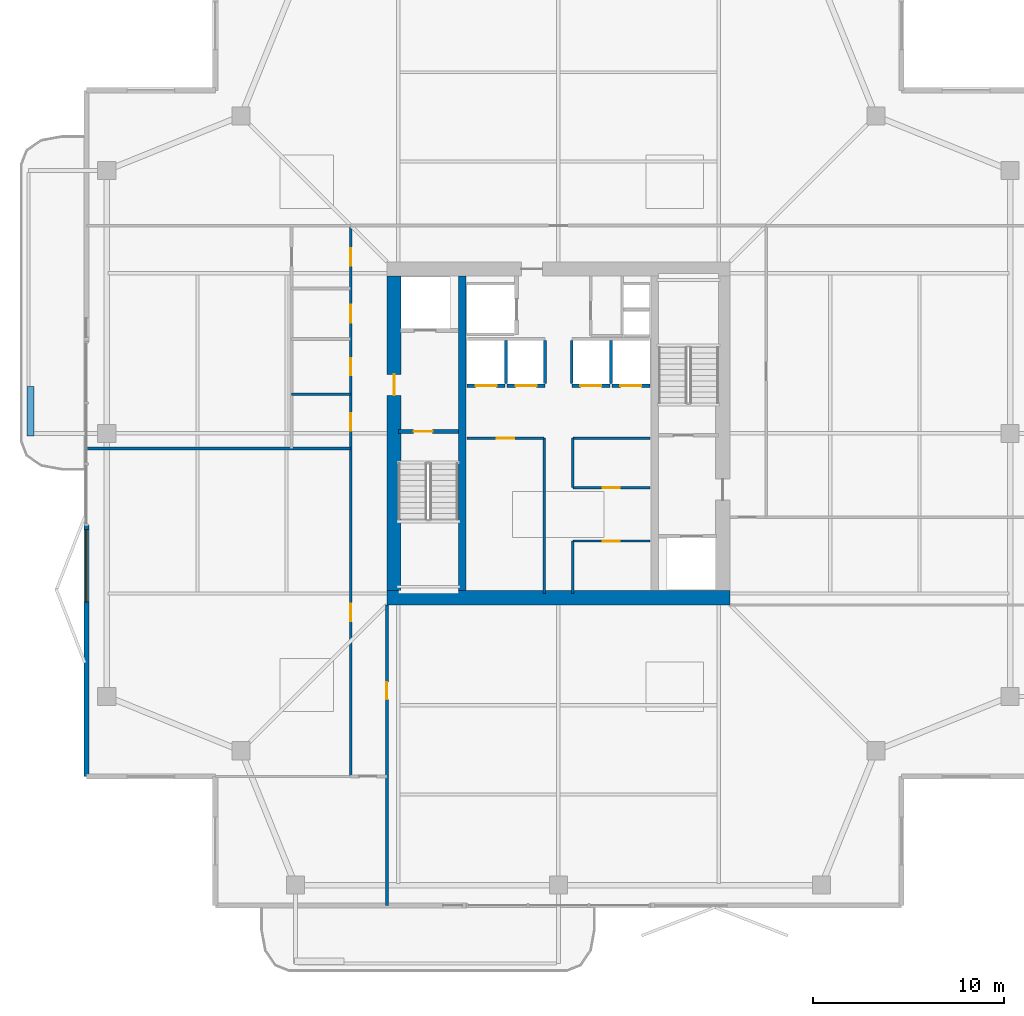
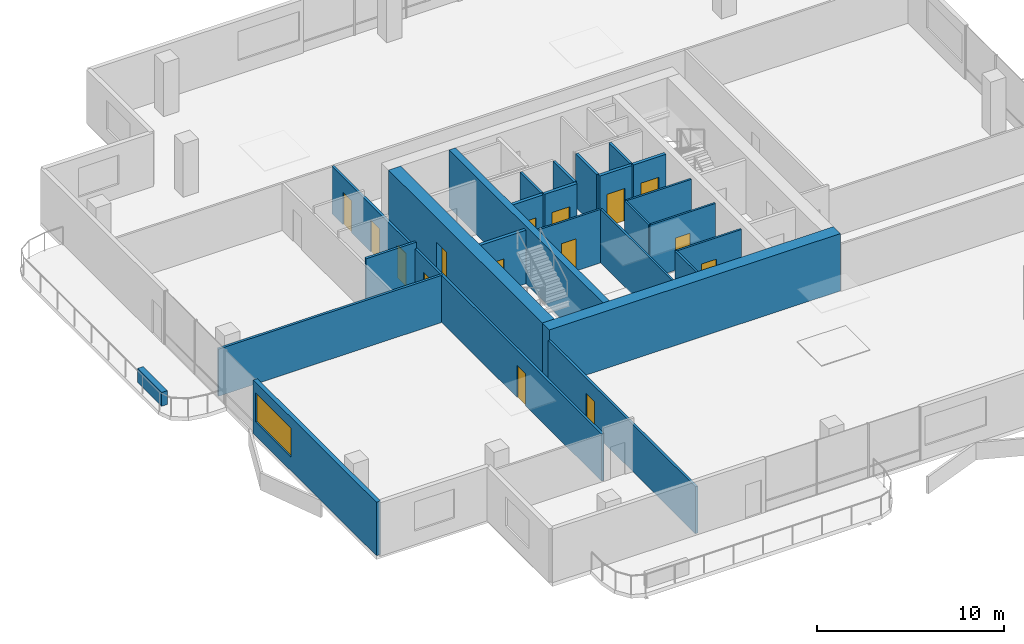
# One storey, part 18 of 23: 25 walls, 15 doors, 1 window, 16 openings.
"""IFC4 building model written with IfcOpenShell, lengths in metres."""

from ifc_helpers import new_model, si_unit, direction, frame, frame_2d, origin, place, context, subcontext, project, spatial, rectangle, extrude, material, layer, layer_set, type_object, element, fill, save


model = new_model("IFC4")

# Units and contexts
model_context = context("Model", 3, precision=1e-05, world=origin(), true_north=direction((0.0, 1.0)))
body_context = subcontext(model_context, "Body", "Model", "MODEL_VIEW")
ifc_project = project(units=[si_unit("LENGTHUNIT", "METRE"), si_unit("AREAUNIT", "SQUARE_METRE"), si_unit("VOLUMEUNIT", "CUBIC_METRE"), si_unit("PLANEANGLEUNIT", "RADIAN"), si_unit("MASSUNIT", "GRAM", prefix="KILO")], contexts=[model_context])

# Site, building, storey
site_placement = place(None, origin())
site = spatial("IfcSite", under=ifc_project, at=site_placement, CompositionType="ELEMENT")
building_placement = place(site_placement, origin())
building = spatial("IfcBuilding", under=site, at=building_placement, Name="Belovzor Exchange Tower", CompositionType="ELEMENT")
storey_placement = place(building_placement, frame((0.0, 0.0, 276.60009765625)))
storey = spatial("IfcBuildingStorey", under=building, at=storey_placement, Name="L69", CompositionType="ELEMENT", Elevation=276.60009765625)

# Wall, opening, door
ifc_material_1 = material(Name="Fire-Rated Plasterboard on Galvanised Studs", Category="gypsum")
ifc_layer_1 = layer(ifc_material_1, 0.1201171875)
ifc_layer_set_1 = layer_set([ifc_layer_1], Name="Fire-Rated Plasterboard on Galvanised Studs")
wall_type_1 = type_object("IfcWallType", Name="Fire-Rated Double-Stud Partition Wall 120", PredefinedType="PARTITIONING", material=ifc_layer_set_1)
wall_1_placement = place(storey_placement, frame((24.0, 28.550048828125, 0.0), z_axis=(0.0, 0.0, 1.0), x_axis=(1.0, 0.0, 0.0)))
wall_1 = element("IfcWall", 1, at=wall_1_placement, inside=storey, type_object=wall_type_1, Name="W-P120F Partition Wall W-CRWB-L69-N", PredefinedType="PARTITIONING", context=body_context, shape_type="SweptSolid", body=[
    extrude(rectangle(XDim=4.050048828125, YDim=0.1201171875, at=frame_2d((2.02490234375, 0.0))), origin(), (0.0, 0.0, 1.0), 3.5),
])
opening_1_placement = place(wall_1_placement, frame((1.574951171875, 0.0, 0.0)))
opening_1 = element("IfcOpeningElement", 2, at=opening_1_placement, cuts=wall_1, Name="Opening D-FD60-090", PredefinedType="OPENING", context=body_context, shape_type="SweptSolid", body=[
    extrude(rectangle(XDim=0.89990234375, YDim=2.10009765625, at=frame_2d((0.449951171875, 1.050048828125))), frame((0.0, 0.070068359375, 0.0), z_axis=(0.0, -1.0, 0.0), x_axis=(1.0, 0.0, 0.0)), (0.0, 0.0, 1.0), 0.14013671875),
])
ifc_material_2 = material(Name="Acoustic Timber Fire Leaf", Category="wood")
door_type_1 = type_object("IfcDoorType", Name="Core Service & Restroom Fire Door 900x2100", OperationType="NOTDEFINED", PredefinedType="DOOR", material=ifc_material_2)
door_1_placement = place(opening_1_placement, origin())
door_1 = element("IfcDoor", 3, at=door_1_placement, inside=storey, type_object=door_type_1, Name="D-FD60-090 Core Service & Restroom Fire Door 900x2100", OperationType="SINGLE_SWING_LEFT", OverallHeight=2.10009765625, OverallWidth=0.89990234375, PredefinedType="DOOR", context=body_context, shape_type="SweptSolid", body=[
    extrude(rectangle(XDim=0.89990234375, YDim=2.10009765625, at=frame_2d((0.449951171875, 1.050048828125))), frame((0.0, 0.02490234375, 0.0), z_axis=(0.0, -1.0, 0.0), x_axis=(1.0, 0.0, 0.0)), (0.0, 0.0, 1.0), 0.050048828125),
])
fill(opening_1, door_1)

# Wall
wall_2_placement = place(storey_placement, frame((28.050048828125, 20.39990234375, 0.0), z_axis=(0.0, 0.0, 1.0), x_axis=(0.0, 1.0, 0.0)))
element("IfcWall", 4, at=wall_2_placement, inside=storey, type_object=wall_type_1, Name="W-P120F Partition Wall W-CRWB-L69-E", PredefinedType="PARTITIONING", context=body_context, shape_type="SweptSolid", body=[
    extrude(rectangle(XDim=8.150146484375, YDim=0.1201171875, at=frame_2d((4.0751953125, 0.0))), origin(), (0.0, 0.0, 1.0), 3.5),
])

# Wall, opening, door
wall_3_placement = place(storey_placement, frame((29.550048828125, 23.14990234375, 0.0), z_axis=(0.0, 0.0, 1.0), x_axis=(1.0, 0.0, 0.0)))
wall_3 = element("IfcWall", 5, at=wall_3_placement, inside=storey, type_object=wall_type_1, Name="W-P120F Partition Wall W-CRL-L69-EN", PredefinedType="PARTITIONING", context=body_context, shape_type="SweptSolid", body=[
    extrude(rectangle(XDim=4.050048828125, YDim=0.1201171875, at=frame_2d((2.02490234375, 0.0))), origin(), (0.0, 0.0, 1.0), 3.5),
])
opening_2_placement = place(wall_3_placement, frame((1.574951171875, 0.0, 0.0)))
opening_2 = element("IfcOpeningElement", 6, at=opening_2_placement, cuts=wall_3, Name="Opening D-FD60-090", PredefinedType="OPENING", context=body_context, shape_type="SweptSolid", body=[
    extrude(rectangle(XDim=0.89990234375, YDim=2.10009765625, at=frame_2d((0.449951171875, 1.050048828125))), frame((0.0, 0.070068359375, 0.0), z_axis=(0.0, -1.0, 0.0), x_axis=(1.0, 0.0, 0.0)), (0.0, 0.0, 1.0), 0.14013671875),
])
door_2_placement = place(opening_2_placement, origin())
door_2 = element("IfcDoor", 7, at=door_2_placement, inside=storey, type_object=door_type_1, Name="D-FD60-090 Core Service & Restroom Fire Door 900x2100", OperationType="SINGLE_SWING_RIGHT", OverallHeight=2.10009765625, OverallWidth=0.89990234375, PredefinedType="DOOR", context=body_context, shape_type="SweptSolid", body=[
    extrude(rectangle(XDim=0.89990234375, YDim=2.10009765625, at=frame_2d((0.449951171875, 1.050048828125))), frame((0.0, 0.02490234375, 0.0), z_axis=(0.0, -1.0, 0.0), x_axis=(1.0, 0.0, 0.0)), (0.0, 0.0, 1.0), 0.050048828125),
])
fill(opening_2, door_2)

# Wall
wall_4_placement = place(storey_placement, frame((29.550048828125, 20.39990234375, 0.0), z_axis=(0.0, 0.0, 1.0), x_axis=(0.0, 1.0, 0.0)))
element("IfcWall", 8, at=wall_4_placement, inside=storey, type_object=wall_type_1, Name="W-P120F Partition Wall W-CRL-L69-EW", PredefinedType="PARTITIONING", context=body_context, shape_type="SweptSolid", body=[
    extrude(rectangle(XDim=2.75, YDim=0.1201171875, at=frame_2d((1.375, 0.0))), origin(), (0.0, 0.0, 1.0), 3.5),
])

# Wall, opening, door
wall_5_placement = place(storey_placement, frame((29.550048828125, 25.949951171875, 0.0), z_axis=(0.0, 0.0, 1.0), x_axis=(1.0, 0.0, 0.0)))
wall_5 = element("IfcWall", 9, at=wall_5_placement, inside=storey, type_object=wall_type_1, Name="W-P120F Partition Wall W-CRM-L69-ES", PredefinedType="PARTITIONING", context=body_context, shape_type="SweptSolid", body=[
    extrude(rectangle(XDim=4.050048828125, YDim=0.1201171875, at=frame_2d((2.02490234375, 0.0))), origin(), (0.0, 0.0, 1.0), 3.5),
])
opening_3_placement = place(wall_5_placement, frame((1.574951171875, 0.0, 0.0)))
opening_3 = element("IfcOpeningElement", 10, at=opening_3_placement, cuts=wall_5, Name="Opening D-FD60-090", PredefinedType="OPENING", context=body_context, shape_type="SweptSolid", body=[
    extrude(rectangle(XDim=0.89990234375, YDim=2.10009765625, at=frame_2d((0.449951171875, 1.050048828125))), frame((0.0, 0.070068359375, 0.0), z_axis=(0.0, -1.0, 0.0), x_axis=(1.0, 0.0, 0.0)), (0.0, 0.0, 1.0), 0.14013671875),
])
door_3_placement = place(opening_3_placement, origin())
door_3 = element("IfcDoor", 11, at=door_3_placement, inside=storey, type_object=door_type_1, Name="D-FD60-090 Core Service & Restroom Fire Door 900x2100", OperationType="SINGLE_SWING_RIGHT", OverallHeight=2.10009765625, OverallWidth=0.89990234375, PredefinedType="DOOR", context=body_context, shape_type="SweptSolid", body=[
    extrude(rectangle(XDim=0.89990234375, YDim=2.10009765625, at=frame_2d((0.449951171875, 1.050048828125))), frame((0.0, 0.02490234375, 0.0), z_axis=(0.0, -1.0, 0.0), x_axis=(1.0, 0.0, 0.0)), (0.0, 0.0, 1.0), 0.050048828125),
])
fill(opening_3, door_3)

# Walls
wall_6_placement = place(storey_placement, frame((29.550048828125, 28.550048828125, 0.0), z_axis=(0.0, 0.0, 1.0), x_axis=(1.0, 0.0, 0.0)))
element("IfcWall", 12, at=wall_6_placement, inside=storey, type_object=wall_type_1, Name="W-P120F Partition Wall W-CRM-L69-EN", PredefinedType="PARTITIONING", context=body_context, shape_type="SweptSolid", body=[
    extrude(rectangle(XDim=4.050048828125, YDim=0.1201171875, at=frame_2d((2.02490234375, 0.0))), origin(), (0.0, 0.0, 1.0), 3.5),
])
wall_7_placement = place(storey_placement, frame((29.550048828125, 25.949951171875, 0.0), z_axis=(0.0, 0.0, 1.0), x_axis=(0.0, 1.0, 0.0)))
element("IfcWall", 13, at=wall_7_placement, inside=storey, type_object=wall_type_1, Name="W-P120F Partition Wall W-CRM-L69-EW", PredefinedType="PARTITIONING", context=body_context, shape_type="SweptSolid", body=[
    extrude(rectangle(XDim=2.60009765625, YDim=0.1201171875, at=frame_2d((1.300048828125, 0.0))), origin(), (0.0, 0.0, 1.0), 3.5),
])
ifc_material_3 = material(Name="Fire-Rated Gypsum Block and Mineral Wool", Category="gypsum")
ifc_layer_2 = layer(ifc_material_3, 0.14990234375)
ifc_layer_set_2 = layer_set([ifc_layer_2], Name="Fire-Rated Gypsum Block and Mineral Wool")
wall_type_2 = type_object("IfcWallType", Name="Fire-Rated Gypsum Block Corridor Wall 150", PredefinedType="PARTITIONING", material=ifc_layer_set_2)
wall_8_placement = place(storey_placement, frame((4.030029296875, 28.0, 0.0), z_axis=(0.0, 0.0, 1.0), x_axis=(1.0, 0.0, 0.0)))
element("IfcWall", 14, at=wall_8_placement, inside=storey, type_object=wall_type_2, Name="W-P150 Partition Wall W-L69-WCS", PredefinedType="PARTITIONING", context=body_context, shape_type="SweptSolid", body=[
    extrude(rectangle(XDim=13.869873046875, YDim=0.14990234375, at=frame_2d((6.93505859375, 0.0))), origin(), (0.0, 0.0, 1.0), 3.0849609375),
])
wall_9_placement = place(storey_placement, frame((14.800048828125, 30.85009765625, 0.0), z_axis=(0.0, 0.0, 1.0), x_axis=(1.0, 0.0, 0.0)))
element("IfcWall", 15, at=wall_9_placement, inside=storey, type_object=wall_type_2, Name="W-P150 Partition Wall W-L69-WCD1", PredefinedType="PARTITIONING", context=body_context, shape_type="SweptSolid", body=[
    extrude(rectangle(XDim=3.099853515625, YDim=0.14990234375, at=frame_2d((1.5498046875, 0.0))), origin(), (0.0, 0.0, 1.0), 3.5),
])

# Wall, opening, door
wall_10_placement = place(storey_placement, frame((19.800048828125, 4.030029296875, 0.0), z_axis=(0.0, 0.0, 1.0), x_axis=(0.0, 1.0, 0.0)))
wall_10 = element("IfcWall", 16, at=wall_10_placement, inside=storey, type_object=wall_type_2, Name="W-P150 Partition Wall W-L69-CW-E", PredefinedType="PARTITIONING", context=body_context, shape_type="SweptSolid", body=[
    extrude(rectangle(XDim=15.77001953125, YDim=0.14990234375, at=frame_2d((7.885009765625, 0.0))), origin(), (0.0, 0.0, 1.0), 3.0849609375),
])
opening_4_placement = place(wall_10_placement, frame((10.820068359375, 0.0, 0.0)))
opening_4 = element("IfcOpeningElement", 17, at=opening_4_placement, cuts=wall_10, Name="Opening D-FD60-090", PredefinedType="OPENING", context=body_context, shape_type="SweptSolid", body=[
    extrude(rectangle(XDim=0.89990234375, YDim=2.10009765625, at=frame_2d((0.449951171875, 1.050048828125))), frame((0.0, 0.0849609375, 0.0), z_axis=(0.0, -1.0, 0.0), x_axis=(1.0, 0.0, 0.0)), (0.0, 0.0, 1.0), 0.169921875),
])
door_4_placement = place(opening_4_placement, origin())
door_4 = element("IfcDoor", 18, at=door_4_placement, inside=storey, type_object=door_type_1, Name="D-FD60-090 Core Service & Restroom Fire Door 900x2100", OperationType="SINGLE_SWING_RIGHT", OverallHeight=2.10009765625, OverallWidth=0.89990234375, PredefinedType="DOOR", context=body_context, shape_type="SweptSolid", body=[
    extrude(rectangle(XDim=0.89990234375, YDim=2.10009765625, at=frame_2d((0.449951171875, 1.050048828125))), frame((0.0, 0.02490234375, 0.0), z_axis=(0.0, -1.0, 0.0), x_axis=(1.0, 0.0, 0.0)), (0.0, 0.0, 1.0), 0.050048828125),
])
fill(opening_4, door_4)

# Wall, openings, doors
wall_11_placement = place(storey_placement, frame((17.89990234375, 10.800048828125, 0.0), z_axis=(0.0, 0.0, 1.0), x_axis=(0.0, 1.0, 0.0)))
wall_11 = element("IfcWall", 19, at=wall_11_placement, inside=storey, type_object=wall_type_2, Name="W-P150 Partition Wall W-L69-CW", PredefinedType="PARTITIONING", context=body_context, shape_type="SweptSolid", body=[
    extrude(rectangle(XDim=28.89990234375, YDim=0.14990234375, at=frame_2d((14.449951171875, 0.0))), origin(), (0.0, 0.0, 1.0), 3.0849609375),
])
opening_5_placement = place(wall_11_placement, frame((8.14990234375, 0.0, 0.0)))
opening_5 = element("IfcOpeningElement", 20, at=opening_5_placement, cuts=wall_11, Name="Opening D-INT-090", PredefinedType="OPENING", context=body_context, shape_type="SweptSolid", body=[
    extrude(rectangle(XDim=0.89990234375, YDim=2.10009765625, at=frame_2d((0.449951171875, 1.050048828125))), frame((0.0, 0.0849609375, 0.0), z_axis=(0.0, -1.0, 0.0), x_axis=(1.0, 0.0, 0.0)), (0.0, 0.0, 1.0), 0.169921875),
])
opening_6_placement = place(wall_11_placement, frame((18.14990234375, 0.0, 0.0)))
opening_6 = element("IfcOpeningElement", 21, at=opening_6_placement, cuts=wall_11, Name="Opening D-FD60-090", PredefinedType="OPENING", context=body_context, shape_type="SweptSolid", body=[
    extrude(rectangle(XDim=0.89990234375, YDim=2.10009765625, at=frame_2d((0.449951171875, 1.050048828125))), frame((0.0, 0.0849609375, 0.0), z_axis=(0.0, -1.0, 0.0), x_axis=(1.0, 0.0, 0.0)), (0.0, 0.0, 1.0), 0.169921875),
])
opening_7_placement = place(wall_11_placement, frame((21.050048828125, 0.0, 0.0)))
opening_7 = element("IfcOpeningElement", 22, at=opening_7_placement, cuts=wall_11, Name="Opening D-FD60-090", PredefinedType="OPENING", context=body_context, shape_type="SweptSolid", body=[
    extrude(rectangle(XDim=0.89990234375, YDim=2.10009765625, at=frame_2d((0.449951171875, 1.050048828125))), frame((0.0, 0.0849609375, 0.0), z_axis=(0.0, -1.0, 0.0), x_axis=(1.0, 0.0, 0.0)), (0.0, 0.0, 1.0), 0.169921875),
])
opening_8_placement = place(wall_11_placement, frame((23.800048828125, 0.0, 0.0)))
opening_8 = element("IfcOpeningElement", 23, at=opening_8_placement, cuts=wall_11, Name="Opening D-FD60-095", PredefinedType="OPENING", context=body_context, shape_type="SweptSolid", body=[
    extrude(rectangle(XDim=0.949951171875, YDim=2.10009765625, at=frame_2d((0.47509765625, 1.050048828125))), frame((0.0, 0.0849609375, 0.0), z_axis=(0.0, -1.0, 0.0), x_axis=(1.0, 0.0, 0.0)), (0.0, 0.0, 1.0), 0.169921875),
])
opening_9_placement = place(wall_11_placement, frame((26.800048828125, 0.0, 0.0)))
opening_9 = element("IfcOpeningElement", 24, at=opening_9_placement, cuts=wall_11, Name="Opening D-FD60-090", PredefinedType="OPENING", context=body_context, shape_type="SweptSolid", body=[
    extrude(rectangle(XDim=0.89990234375, YDim=2.10009765625, at=frame_2d((0.449951171875, 1.050048828125))), frame((0.0, 0.0849609375, 0.0), z_axis=(0.0, -1.0, 0.0), x_axis=(1.0, 0.0, 0.0)), (0.0, 0.0, 1.0), 0.169921875),
])
ifc_material_4 = material(Name="Moisture-Resistant Timber Fire Leaf", Category="wood")
door_type_2 = type_object("IfcDoorType", Name="Accessible Restroom Wide Fire Door 950x2100", OperationType="NOTDEFINED", PredefinedType="DOOR", material=ifc_material_4)
door_5_placement = place(opening_8_placement, origin())
door_5 = element("IfcDoor", 25, at=door_5_placement, inside=storey, type_object=door_type_2, Name="D-FD60-095 Accessible Restroom Wide Fire Door 950x2100", OperationType="SINGLE_SWING_LEFT", OverallHeight=2.10009765625, OverallWidth=0.949951171875, PredefinedType="DOOR", context=body_context, shape_type="SweptSolid", body=[
    extrude(rectangle(XDim=0.949951171875, YDim=2.10009765625, at=frame_2d((0.47509765625, 1.050048828125))), frame((0.0, 0.02490234375, 0.0), z_axis=(0.0, -1.0, 0.0), x_axis=(1.0, 0.0, 0.0)), (0.0, 0.0, 1.0), 0.050048828125),
])
fill(opening_8, door_5)
door_6_placement = place(opening_6_placement, origin())
door_6 = element("IfcDoor", 26, at=door_6_placement, inside=storey, type_object=door_type_1, Name="D-FD60-090 Core Service & Restroom Fire Door 900x2100", OperationType="SINGLE_SWING_LEFT", OverallHeight=2.10009765625, OverallWidth=0.89990234375, PredefinedType="DOOR", context=body_context, shape_type="SweptSolid", body=[
    extrude(rectangle(XDim=0.89990234375, YDim=2.10009765625, at=frame_2d((0.449951171875, 1.050048828125))), frame((0.0, 0.02490234375, 0.0), z_axis=(0.0, -1.0, 0.0), x_axis=(1.0, 0.0, 0.0)), (0.0, 0.0, 1.0), 0.050048828125),
])
fill(opening_6, door_6)
door_7_placement = place(opening_7_placement, origin())
door_7 = element("IfcDoor", 27, at=door_7_placement, inside=storey, type_object=door_type_1, Name="D-FD60-090 Core Service & Restroom Fire Door 900x2100", OperationType="SINGLE_SWING_RIGHT", OverallHeight=2.10009765625, OverallWidth=0.89990234375, PredefinedType="DOOR", context=body_context, shape_type="SweptSolid", body=[
    extrude(rectangle(XDim=0.89990234375, YDim=2.10009765625, at=frame_2d((0.449951171875, 1.050048828125))), frame((0.0, 0.02490234375, 0.0), z_axis=(0.0, -1.0, 0.0), x_axis=(1.0, 0.0, 0.0)), (0.0, 0.0, 1.0), 0.050048828125),
])
fill(opening_7, door_7)
door_8_placement = place(opening_9_placement, origin())
door_8 = element("IfcDoor", 28, at=door_8_placement, inside=storey, type_object=door_type_1, Name="D-FD60-090 Core Service & Restroom Fire Door 900x2100", OperationType="SINGLE_SWING_LEFT", OverallHeight=2.10009765625, OverallWidth=0.89990234375, PredefinedType="DOOR", context=body_context, shape_type="SweptSolid", body=[
    extrude(rectangle(XDim=0.89990234375, YDim=2.10009765625, at=frame_2d((0.449951171875, 1.050048828125))), frame((0.0, 0.02490234375, 0.0), z_axis=(0.0, -1.0, 0.0), x_axis=(1.0, 0.0, 0.0)), (0.0, 0.0, 1.0), 0.050048828125),
])
fill(opening_9, door_8)
ifc_material_5 = material(Name="Veneered Hardwood Acoustic Leaf", Category="wood")
door_type_3 = type_object("IfcDoorType", Name="Trading Suite Acoustic Single Door 900x2100", OperationType="NOTDEFINED", PredefinedType="DOOR", material=ifc_material_5)
door_9_placement = place(opening_5_placement, origin())
door_9 = element("IfcDoor", 29, at=door_9_placement, inside=storey, type_object=door_type_3, Name="D-INT-090 Trading Suite Acoustic Single Door 900x2100", OperationType="SINGLE_SWING_RIGHT", OverallHeight=2.10009765625, OverallWidth=0.89990234375, PredefinedType="DOOR", context=body_context, shape_type="SweptSolid", body=[
    extrude(rectangle(XDim=0.89990234375, YDim=2.10009765625, at=frame_2d((0.449951171875, 1.050048828125))), frame((0.0, 0.02490234375, 0.0), z_axis=(0.0, -1.0, 0.0), x_axis=(1.0, 0.0, 0.0)), (0.0, 0.0, 1.0), 0.050048828125),
])
fill(opening_5, door_9)

# Wall, opening, window
ifc_material_6 = material(Name="Precast concrete C40/50", Category="concrete")
ifc_layer_3 = layer(ifc_material_6, 0.260009765625)
ifc_layer_set_3 = layer_set([ifc_layer_3], Name="Precast concrete C40/50")
wall_type_3 = type_object("IfcWallType", Name="Precast Concrete Perimeter Loggia Frame Wall 260", PredefinedType="SOLIDWALL", material=ifc_layer_set_3)
wall_12_placement = place(storey_placement, frame((4.030029296875, 10.800048828125, 0.0), z_axis=(0.0, 0.0, 1.0), x_axis=(0.0, 1.0, 0.0)))
wall_12 = element("IfcWall", 30, at=wall_12_placement, inside=storey, type_object=wall_type_3, Name="W-EXT260 Precast Concrete Perimeter Loggia Frame Wall 260 L69", PredefinedType="SOLIDWALL", context=body_context, shape_type="SweptSolid", body=[
    extrude(rectangle(XDim=13.199951171875, YDim=0.260009765625, at=frame_2d((6.60009765625, 0.0))), origin(), (0.0, 0.0, 1.0), 3.5),
])
opening_10_placement = place(wall_12_placement, frame((9.14990234375, 0.0, 0.89990234375)))
opening_10 = element("IfcOpeningElement", 31, at=opening_10_placement, cuts=wall_12, Name="Opening WN-RIB380", PredefinedType="OPENING", context=body_context, shape_type="SweptSolid", body=[
    extrude(rectangle(XDim=3.800048828125, YDim=1.89990234375, at=frame_2d((1.89990234375, 0.949951171875))), frame((0.0, 0.139892578125, 0.0), z_axis=(0.0, -1.0, 0.0), x_axis=(1.0, 0.0, 0.0)), (0.0, 0.0, 1.0), 0.280029296875),
])
ifc_material_7 = material(Name="Thermally Broken Aluminium and Triple Glazing", Category="aluminium")
window_type = type_object("IfcWindowType", Name="Streamline Moderne Horizontal Ribbon Window 3800x1900", PartitioningType="SINGLE_PANEL", PredefinedType="WINDOW", material=ifc_material_7)
window_placement = place(opening_10_placement, origin())
window = element("IfcWindow", 32, at=window_placement, inside=storey, type_object=window_type, Name="WN-RIB380 Streamline Moderne Horizontal Ribbon Window 3800x1900", OverallHeight=1.89990234375, OverallWidth=3.800048828125, PartitioningType="SINGLE_PANEL", PredefinedType="WINDOW", context=body_context, shape_type="SweptSolid", body=[
    extrude(rectangle(XDim=3.800048828125, YDim=1.89990234375, at=frame_2d((1.89990234375, 0.949951171875))), frame((0.0, 0.030029296875, 0.0), z_axis=(0.0, -1.0, 0.0), x_axis=(1.0, 0.0, 0.0)), (0.0, 0.0, 1.0), 0.06005859375),
])
fill(opening_10, window)

# Walls
ifc_material_8 = material(Name="Precast concrete C40/50", Category="concrete")
ifc_layer_4 = layer(ifc_material_8, 0.35009765625)
ifc_layer_set_4 = layer_set([ifc_layer_4], Name="Precast concrete C40/50")
wall_type_4 = type_object("IfcWallType", Name="Precast Concrete Structural Tree Planter Trough 350", PredefinedType="PARAPET", material=ifc_layer_set_4)
wall_13_placement = place(storey_placement, frame((1.10009765625, 28.64990234375, 0.0), z_axis=(0.0, 0.0, 1.0), x_axis=(0.0, 1.0, 0.0)))
element("IfcWall", 33, at=wall_13_placement, inside=storey, type_object=wall_type_4, Name="PT-350 Precast Concrete Structural Tree Planter Trough 350 L69", PredefinedType="PARAPET", context=body_context, shape_type="SweptSolid", body=[
    extrude(rectangle(XDim=2.60009765625, YDim=0.35009765625, at=frame_2d((1.300048828125, 0.0))), origin(), (0.0, 0.0, 1.0), 0.89990234375),
])
ifc_material_9 = material(Name="Concrete C50/60", Category="concrete")
ifc_layer_5 = layer(ifc_material_9, 0.39990234375)
ifc_layer_set_5 = layer_set([ifc_layer_5], Name="Concrete C50/60")
wall_type_5 = type_object("IfcWallType", Name="Reinforced Concrete Core Internal Web Wall 400", PredefinedType="SHEAR", material=ifc_layer_set_5)
wall_14_placement = place(storey_placement, frame((23.75, 20.550048828125, 0.0), z_axis=(0.0, 0.0, 1.0), x_axis=(0.0, 1.0, 0.0)))
element("IfcWall", 34, at=wall_14_placement, inside=storey, type_object=wall_type_5, Name="CW-W040 Core Internal Web Wall L69 WL", PredefinedType="SHEAR", context=body_context, shape_type="SweptSolid", body=[
    extrude(rectangle(XDim=16.5, YDim=0.39990234375, at=frame_2d((8.25, 0.0))), origin(), (0.0, 0.0, 1.0), 3.75),
])
ifc_material_10 = material(Name="Concrete C50/60", Category="concrete")
ifc_layer_6 = layer(ifc_material_10, 0.14990234375)
ifc_layer_set_6 = layer_set([ifc_layer_6], Name="Concrete C50/60")
wall_type_6 = type_object("IfcWallType", Name="Reinforced Concrete Core Riser Shear Wall 150", PredefinedType="SHEAR", material=ifc_layer_set_6)
for number, where, z_axis, x_axis, name in (
    (35, (26.050048828125, 31.419921875, 0.0), (0.0, 0.0, 1.0), (0.0, 1.0, 0.0), "W-C150S Core Shaft Wall W-SHD-L69-PLH-1"),
    (36, (28.10009765625, 31.419921875, 0.0), (0.0, 0.0, 1.0), (0.0, 1.0, 0.0), "W-C150S Core Shaft Wall W-SHD-L69-PLH-2"),
    (37, (29.5, 31.419921875, 0.0), (0.0, 0.0, 1.0), (0.0, 1.0, 0.0), "W-C150S Core Shaft Wall W-SHD-L69-PLH-3"),
    (38, (31.550048828125, 31.419921875, 0.0), (0.0, 0.0, 1.0), (0.0, 1.0, 0.0), "W-C150S Core Shaft Wall W-SHD-L69-PLH-4"),
):
    element("IfcWall", number, at=place(storey_placement, frame(where, z_axis=z_axis, x_axis=x_axis)), inside=storey, type_object=wall_type_6, Name=name, PredefinedType="SHEAR", context=body_context, shape_type="SweptSolid", body=[
        extrude(rectangle(XDim=2.239990234375, YDim=0.14990234375, at=frame_2d((1.1201171875, 0.0))), origin(), (0.0, 0.0, 1.0), 3.5),
    ])

# Wall, opening, door
ifc_material_11 = material(Name="Concrete C50/60", Category="concrete")
ifc_layer_7 = layer(ifc_material_11, 0.199951171875)
ifc_layer_set_7 = layer_set([ifc_layer_7], Name="Concrete C50/60")
wall_type_7 = type_object("IfcWallType", Name="Reinforced Concrete Core Shaft Shear Wall 200", PredefinedType="SHEAR", material=ifc_layer_set_7)
wall_15_placement = place(storey_placement, frame((20.39990234375, 28.89990234375, 0.0), z_axis=(0.0, 0.0, 1.0), x_axis=(1.0, 0.0, 0.0)))
wall_15 = element("IfcWall", 39, at=wall_15_placement, inside=storey, type_object=wall_type_7, Name="W-C200S Core Shaft Wall W-CORE-L69-FFLW1", PredefinedType="SHEAR", context=body_context, shape_type="SweptSolid", body=[
    extrude(rectangle(XDim=3.150146484375, YDim=0.199951171875, at=frame_2d((1.5751953125, 0.0))), origin(), (0.0, 0.0, 1.0), 3.5),
])
opening_11_placement = place(wall_15_placement, frame((0.800048828125, 0.0, 0.0)))
opening_11 = element("IfcOpeningElement", 40, at=opening_11_placement, cuts=wall_15, Name="Opening D-FD90-100", PredefinedType="OPENING", context=body_context, shape_type="SweptSolid", body=[
    extrude(rectangle(XDim=1.0, YDim=2.10009765625, at=frame_2d((0.5, 1.050048828125))), frame((0.0, 0.10986328125, 0.0), z_axis=(0.0, -1.0, 0.0), x_axis=(1.0, 0.0, 0.0)), (0.0, 0.0, 1.0), 0.219970703125),
])
ifc_material_12 = material(Name="Fire-Rated Galvanised Steel Leaf", Category="steel")
door_type_4 = type_object("IfcDoorType", Name="Protected Stairwell Single Fire Door 1000x2100", OperationType="NOTDEFINED", PredefinedType="DOOR", material=ifc_material_12)
door_10_placement = place(opening_11_placement, origin())
door_10 = element("IfcDoor", 41, at=door_10_placement, inside=storey, type_object=door_type_4, Name="D-FD90-100 Protected Stairwell Single Fire Door 1000x2100", OperationType="SINGLE_SWING_RIGHT", OverallHeight=2.10009765625, OverallWidth=1.0, PredefinedType="DOOR", context=body_context, shape_type="SweptSolid", body=[
    extrude(rectangle(XDim=1.0, YDim=2.10009765625, at=frame_2d((0.5, 1.050048828125))), frame((0.0, 0.02490234375, 0.0), z_axis=(0.0, -1.0, 0.0), x_axis=(1.0, 0.0, 0.0)), (0.0, 0.0, 1.0), 0.050048828125),
])
fill(opening_11, door_10)

wall_16_placement = place(storey_placement, frame((24.0, 31.300048828125, 0.0), z_axis=(0.0, 0.0, 1.0), x_axis=(1.0, 0.0, 0.0)))
wall_16 = element("IfcWall", 42, at=wall_16_placement, inside=storey, type_object=wall_type_7, Name="W-C200S Core Shaft Wall W-SH-L69-PL-H1", PredefinedType="SHEAR", context=body_context, shape_type="SweptSolid", body=[
    extrude(rectangle(XDim=2.0, YDim=0.199951171875, at=frame_2d((1.0, 0.0))), origin(), (0.0, 0.0, 1.0), 3.5),
])
opening_12_placement = place(wall_16_placement, frame((0.449951171875, 0.0, 0.0)))
opening_12 = element("IfcOpeningElement", 43, at=opening_12_placement, cuts=wall_16, Name="Opening LD-110", PredefinedType="OPENING", context=body_context, shape_type="SweptSolid", body=[
    extrude(rectangle(XDim=1.10009765625, YDim=2.14990234375, at=frame_2d((0.550048828125, 1.074951171875))), frame((0.0, 0.10986328125, 0.0), z_axis=(0.0, -1.0, 0.0), x_axis=(1.0, 0.0, 0.0)), (0.0, 0.0, 1.0), 0.219970703125),
])
ifc_material_13 = material(Name="Stainless Steel Grade 304", Category="steel")
door_type_5 = type_object("IfcDoorType", Name="Automated Stainless Steel Lift Landing Door 1100x2150", OperationType="SLIDING_TO_RIGHT", PredefinedType="DOOR", material=ifc_material_13)
door_11_placement = place(opening_12_placement, origin())
door_11 = element("IfcDoor", 44, at=door_11_placement, inside=storey, type_object=door_type_5, Name="LD-110 Automated Stainless Steel Lift Landing Door 1100x2150", OperationType="SLIDING_TO_RIGHT", OverallHeight=2.14990234375, OverallWidth=1.10009765625, PredefinedType="DOOR", context=body_context, shape_type="SweptSolid", body=[
    extrude(rectangle(XDim=1.10009765625, YDim=2.14990234375, at=frame_2d((0.550048828125, 1.074951171875))), frame((0.0, 0.02490234375, 0.0), z_axis=(0.0, -1.0, 0.0), x_axis=(1.0, 0.0, 0.0)), (0.0, 0.0, 1.0), 0.050048828125),
])
fill(opening_12, door_11)

wall_17_placement = place(storey_placement, frame((26.10009765625, 31.300048828125, 0.0), z_axis=(0.0, 0.0, 1.0), x_axis=(1.0, 0.0, 0.0)))
wall_17 = element("IfcWall", 45, at=wall_17_placement, inside=storey, type_object=wall_type_7, Name="W-C200S Core Shaft Wall W-SH-L69-PL-H2", PredefinedType="SHEAR", context=body_context, shape_type="SweptSolid", body=[
    extrude(rectangle(XDim=2.0, YDim=0.199951171875, at=frame_2d((1.0, 0.0))), origin(), (0.0, 0.0, 1.0), 3.5),
])
opening_13_placement = place(wall_17_placement, frame((0.449951171875, 0.0, 0.0)))
opening_13 = element("IfcOpeningElement", 46, at=opening_13_placement, cuts=wall_17, Name="Opening LD-110", PredefinedType="OPENING", context=body_context, shape_type="SweptSolid", body=[
    extrude(rectangle(XDim=1.10009765625, YDim=2.14990234375, at=frame_2d((0.550048828125, 1.074951171875))), frame((0.0, 0.10986328125, 0.0), z_axis=(0.0, -1.0, 0.0), x_axis=(1.0, 0.0, 0.0)), (0.0, 0.0, 1.0), 0.219970703125),
])
door_12_placement = place(opening_13_placement, origin())
door_12 = element("IfcDoor", 47, at=door_12_placement, inside=storey, type_object=door_type_5, Name="LD-110 Automated Stainless Steel Lift Landing Door 1100x2150", OperationType="SLIDING_TO_RIGHT", OverallHeight=2.14990234375, OverallWidth=1.10009765625, PredefinedType="DOOR", context=body_context, shape_type="SweptSolid", body=[
    extrude(rectangle(XDim=1.10009765625, YDim=2.14990234375, at=frame_2d((0.550048828125, 1.074951171875))), frame((0.0, 0.02490234375, 0.0), z_axis=(0.0, -1.0, 0.0), x_axis=(1.0, 0.0, 0.0)), (0.0, 0.0, 1.0), 0.050048828125),
])
fill(opening_13, door_12)

wall_18_placement = place(storey_placement, frame((29.5, 31.300048828125, 0.0), z_axis=(0.0, 0.0, 1.0), x_axis=(1.0, 0.0, 0.0)))
wall_18 = element("IfcWall", 48, at=wall_18_placement, inside=storey, type_object=wall_type_7, Name="W-C200S Core Shaft Wall W-SH-L69-PL-H3", PredefinedType="SHEAR", context=body_context, shape_type="SweptSolid", body=[
    extrude(rectangle(XDim=2.0, YDim=0.199951171875, at=frame_2d((1.0, 0.0))), origin(), (0.0, 0.0, 1.0), 3.5),
])
opening_14_placement = place(wall_18_placement, frame((0.449951171875, 0.0, 0.0)))
opening_14 = element("IfcOpeningElement", 49, at=opening_14_placement, cuts=wall_18, Name="Opening LD-110", PredefinedType="OPENING", context=body_context, shape_type="SweptSolid", body=[
    extrude(rectangle(XDim=1.10009765625, YDim=2.14990234375, at=frame_2d((0.550048828125, 1.074951171875))), frame((0.0, 0.10986328125, 0.0), z_axis=(0.0, -1.0, 0.0), x_axis=(1.0, 0.0, 0.0)), (0.0, 0.0, 1.0), 0.219970703125),
])
door_13_placement = place(opening_14_placement, origin())
door_13 = element("IfcDoor", 50, at=door_13_placement, inside=storey, type_object=door_type_5, Name="LD-110 Automated Stainless Steel Lift Landing Door 1100x2150", OperationType="SLIDING_TO_RIGHT", OverallHeight=2.14990234375, OverallWidth=1.10009765625, PredefinedType="DOOR", context=body_context, shape_type="SweptSolid", body=[
    extrude(rectangle(XDim=1.10009765625, YDim=2.14990234375, at=frame_2d((0.550048828125, 1.074951171875))), frame((0.0, 0.02490234375, 0.0), z_axis=(0.0, -1.0, 0.0), x_axis=(1.0, 0.0, 0.0)), (0.0, 0.0, 1.0), 0.050048828125),
])
fill(opening_14, door_13)

wall_19_placement = place(storey_placement, frame((31.60009765625, 31.300048828125, 0.0), z_axis=(0.0, 0.0, 1.0), x_axis=(1.0, 0.0, 0.0)))
wall_19 = element("IfcWall", 51, at=wall_19_placement, inside=storey, type_object=wall_type_7, Name="W-C200S Core Shaft Wall W-SH-L69-PL-H4", PredefinedType="SHEAR", context=body_context, shape_type="SweptSolid", body=[
    extrude(rectangle(XDim=2.0, YDim=0.199951171875, at=frame_2d((1.0, 0.0))), origin(), (0.0, 0.0, 1.0), 3.5),
])
opening_15_placement = place(wall_19_placement, frame((0.449951171875, 0.0, 0.0)))
opening_15 = element("IfcOpeningElement", 52, at=opening_15_placement, cuts=wall_19, Name="Opening LD-110", PredefinedType="OPENING", context=body_context, shape_type="SweptSolid", body=[
    extrude(rectangle(XDim=1.10009765625, YDim=2.14990234375, at=frame_2d((0.550048828125, 1.074951171875))), frame((0.0, 0.10986328125, 0.0), z_axis=(0.0, -1.0, 0.0), x_axis=(1.0, 0.0, 0.0)), (0.0, 0.0, 1.0), 0.219970703125),
])
door_14_placement = place(opening_15_placement, origin())
door_14 = element("IfcDoor", 53, at=door_14_placement, inside=storey, type_object=door_type_5, Name="LD-110 Automated Stainless Steel Lift Landing Door 1100x2150", OperationType="SLIDING_TO_RIGHT", OverallHeight=2.14990234375, OverallWidth=1.10009765625, PredefinedType="DOOR", context=body_context, shape_type="SweptSolid", body=[
    extrude(rectangle(XDim=1.10009765625, YDim=2.14990234375, at=frame_2d((0.550048828125, 1.074951171875))), frame((0.0, 0.02490234375, 0.0), z_axis=(0.0, -1.0, 0.0), x_axis=(1.0, 0.0, 0.0)), (0.0, 0.0, 1.0), 0.050048828125),
])
fill(opening_15, door_14)

# Wall
ifc_material_14 = material(Name="Concrete C50/60", Category="concrete")
ifc_layer_8 = layer(ifc_material_14, 0.75)
ifc_layer_set_8 = layer_set([ifc_layer_8], Name="Concrete C50/60")
wall_type_8 = type_object("IfcWallType", Name="Reinforced Concrete Core Shear Wall 750", PredefinedType="SHEAR", material=ifc_layer_set_8)
wall_20_placement = place(storey_placement, frame((19.800048828125, 20.175048828125, 0.0), z_axis=(0.0, 0.0, 1.0), x_axis=(1.0, 0.0, 0.0)))
element("IfcWall", 54, at=wall_20_placement, inside=storey, type_object=wall_type_8, Name="CW-S075 Core Shear Wall L69 S", PredefinedType="SHEAR", context=body_context, shape_type="SweptSolid", body=[
    extrude(rectangle(XDim=18.0, YDim=0.75, at=frame_2d((9.0, 0.0))), origin(), (0.0, 0.0, 1.0), 3.75),
])

# Wall, opening, door
wall_21_placement = place(storey_placement, frame((20.175048828125, 20.550048828125, 0.0), z_axis=(0.0, 0.0, 1.0), x_axis=(0.0, 1.0, 0.0)))
wall_21 = element("IfcWall", 55, at=wall_21_placement, inside=storey, type_object=wall_type_8, Name="CW-S075 Core Shear Wall L69 W", PredefinedType="SHEAR", context=body_context, shape_type="SweptSolid", body=[
    extrude(rectangle(XDim=16.5, YDim=0.75, at=frame_2d((8.25, 0.0))), origin(), (0.0, 0.0, 1.0), 3.75),
])
opening_16_placement = place(wall_21_placement, frame((10.25, 0.0, 0.0)))
opening_16 = element("IfcOpeningElement", 56, at=opening_16_placement, cuts=wall_21, Name="Opening D-FD90-110", PredefinedType="OPENING", context=body_context, shape_type="SweptSolid", body=[
    extrude(rectangle(XDim=1.10009765625, YDim=2.14990234375, at=frame_2d((0.550048828125, 1.074951171875))), frame((0.0, 0.385009765625, 0.0), z_axis=(0.0, -1.0, 0.0), x_axis=(1.0, 0.0, 0.0)), (0.0, 0.0, 1.0), 0.77001953125),
])
ifc_material_15 = material(Name="Fire-Rated Galvanised Steel Leaf", Category="steel")
door_type_6 = type_object("IfcDoorType", Name="Protected Escape Vestibule Fire Door 1100x2150", OperationType="NOTDEFINED", PredefinedType="DOOR", material=ifc_material_15)
door_15_placement = place(opening_16_placement, origin())
door_15 = element("IfcDoor", 57, at=door_15_placement, inside=storey, type_object=door_type_6, Name="D-FD90-110 Protected Escape Vestibule Fire Door 1100x2150", OperationType="SINGLE_SWING_LEFT", OverallHeight=2.14990234375, OverallWidth=1.10009765625, PredefinedType="DOOR", context=body_context, shape_type="SweptSolid", body=[
    extrude(rectangle(XDim=1.10009765625, YDim=2.14990234375, at=frame_2d((0.550048828125, 1.074951171875))), frame((0.0, 0.02490234375, 0.0), z_axis=(0.0, -1.0, 0.0), x_axis=(1.0, 0.0, 0.0)), (0.0, 0.0, 1.0), 0.050048828125),
])
fill(opening_16, door_15)

save(model, "model.ifc")
